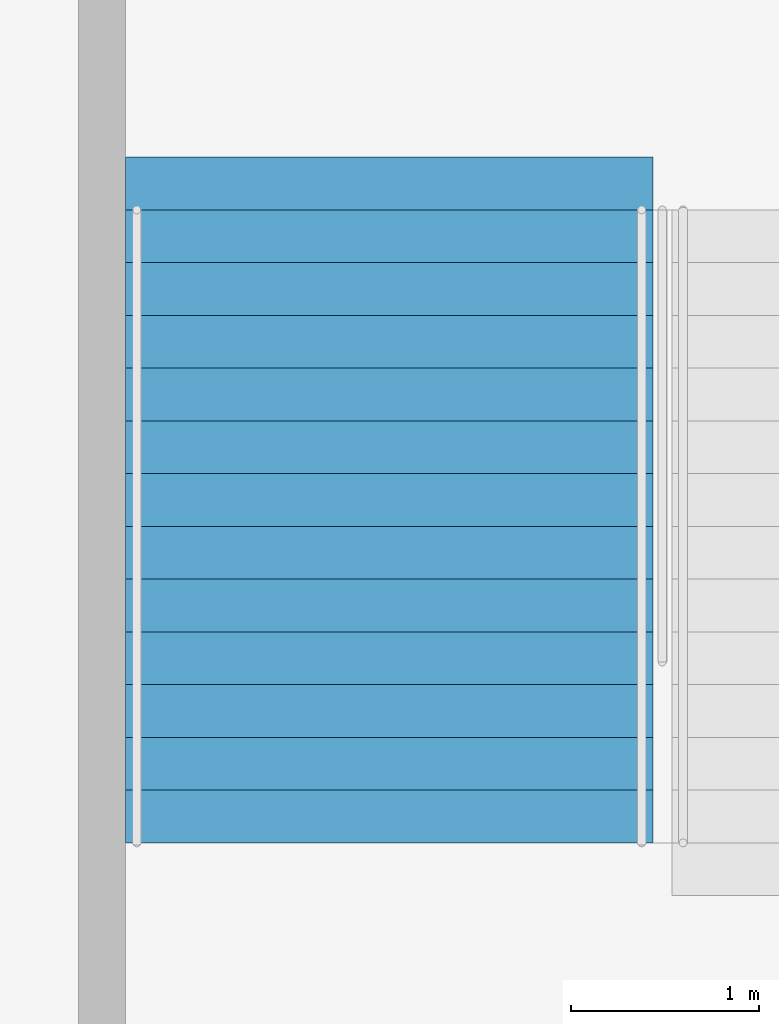
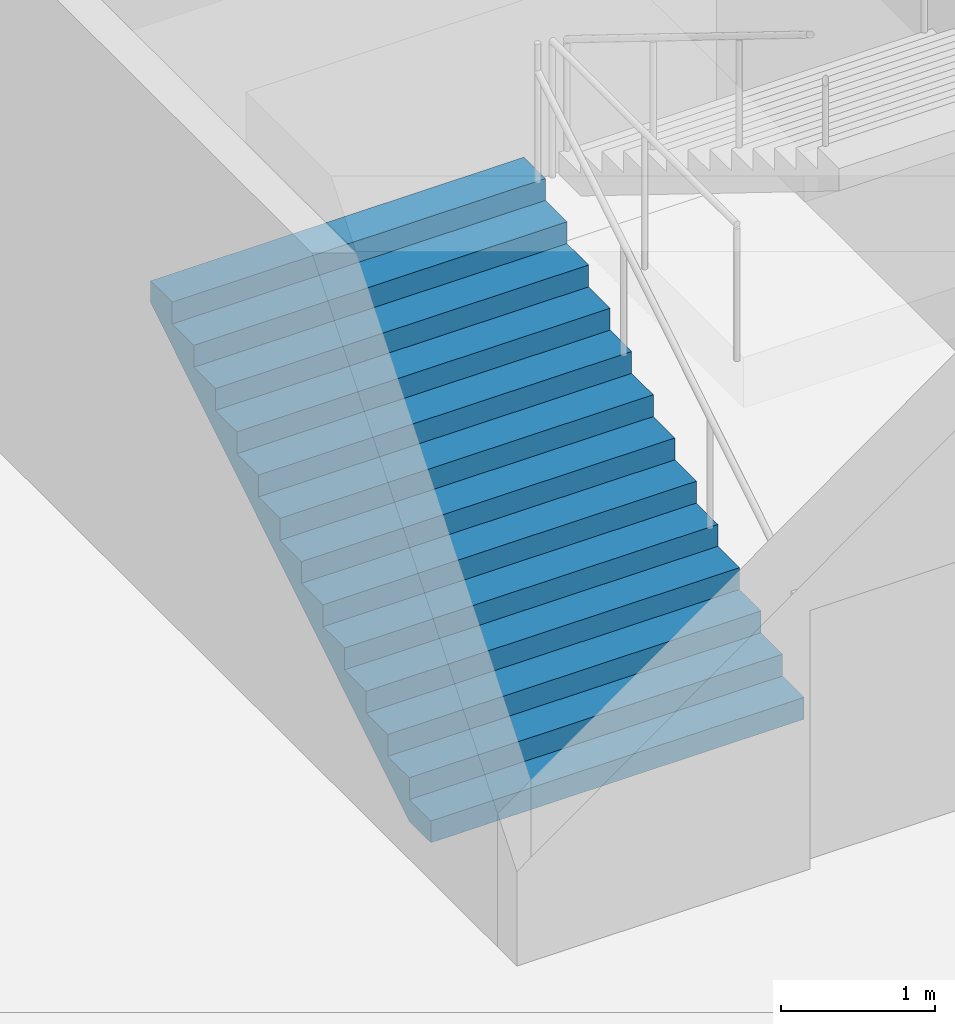
# One storey, part 98 of 115: 1 stair flight, 1 element without a shape of its own.
"""IFC4 building model written with IfcOpenShell, lengths in metres."""

from ifc_helpers import new_model, si_unit, direction, frame, origin, place, context, subcontext, project, spatial, faceted_brep, material, type_object, element, aggregate, save


model = new_model("IFC4")

# Units and contexts
model_context = context("Model", 3, precision=1e-05, world=origin(), true_north=direction((0.0, 1.0)))
body_context = subcontext(model_context, "Body", "Model", "MODEL_VIEW")
ifc_project = project(units=[si_unit("LENGTHUNIT", "METRE"), si_unit("AREAUNIT", "SQUARE_METRE"), si_unit("VOLUMEUNIT", "CUBIC_METRE"), si_unit("PLANEANGLEUNIT", "RADIAN"), si_unit("MASSUNIT", "GRAM", prefix="KILO")], contexts=[model_context])

# Site, building, storey
site_placement = place(None, origin())
site = spatial("IfcSite", under=ifc_project, at=site_placement, CompositionType="ELEMENT")
building_placement = place(site_placement, origin())
building = spatial("IfcBuilding", under=site, at=building_placement, Name="Ogive Plaza Stadium", CompositionType="ELEMENT")
storey_placement = place(building_placement, frame((0.0, 0.0, -4.5)))
storey = spatial("IfcBuildingStorey", under=building, at=storey_placement, Name="B1", CompositionType="ELEMENT", Elevation=-4.5)

# Stair, stair flight
ifc_material_1 = material(Name="Concrete C40/50", Category="concrete")
stair_type = type_object("IfcStairType", Name="Exit stair", PredefinedType="STRAIGHT_RUN_STAIR", material=ifc_material_1)
stair_placement = place(storey_placement, origin())
stair = element("IfcStair", 1, at=stair_placement, inside=storey, type_object=stair_type, Name="Exit stair ST32B B1 to L00", PredefinedType="STRAIGHT_RUN_STAIR")
ifc_material_2 = material(Name="Concrete C40/50", Category="concrete")
stair_flight_type = type_object("IfcStairFlightType", Name="Exit stair flight", PredefinedType="STRAIGHT", material=ifc_material_2)
stair_flight_placement = place(storey_placement, frame((-38.425048828125, 94.85009765625, 0.0), z_axis=(0.0, 0.0, 1.0), x_axis=(0.0, 1.0, 0.0)))
stair_flight = element("IfcStairFlight", 2, at=stair_flight_placement, type_object=stair_flight_type, Name="ST32B flight 1", NumberOfRisers=13, NumberOfTreads=12, PredefinedType="STRAIGHT", RiserHeight=0.173076923, TreadLength=0.28, context=body_context, shape_type="Brep", body=[
    faceted_brep([(0.28515625, -1.39990234375, 0.0), (3.639892578125, -1.39990234375, 2.07373046875), (3.639892578125, -1.39990234375, 2.25), (3.360107421875, -1.39990234375, 2.25), (3.360107421875, -1.39990234375, 2.076904296875), (3.080078125, -1.39990234375, 2.076904296875), (3.080078125, -1.39990234375, 1.90380859375), (2.800048828125, -1.39990234375, 1.90380859375), (2.800048828125, -1.39990234375, 1.730712890625), (2.52001953125, -1.39990234375, 1.730712890625), (2.52001953125, -1.39990234375, 1.5576171875), (2.239990234375, -1.39990234375, 1.5576171875), (2.239990234375, -1.39990234375, 1.384521484375), (1.9599609375, -1.39990234375, 1.384521484375), (1.9599609375, -1.39990234375, 1.21142578125), (1.679931640625, -1.39990234375, 1.21142578125), (1.679931640625, -1.39990234375, 1.03857421875), (1.39990234375, -1.39990234375, 1.03857421875), (1.39990234375, -1.39990234375, 0.865478515625), (1.1201171875, -1.39990234375, 0.865478515625), (1.1201171875, -1.39990234375, 0.6923828125), (0.840087890625, -1.39990234375, 0.6923828125), (0.840087890625, -1.39990234375, 0.519287109375), (0.56005859375, -1.39990234375, 0.519287109375), (0.56005859375, -1.39990234375, 0.34619140625), (0.280029296875, -1.39990234375, 0.34619140625), (0.280029296875, -1.39990234375, 0.173095703125), (0.0, -1.39990234375, 0.173095703125), (0.0, -1.39990234375, 0.0), (0.0, 1.39990234375, 0.0), (0.0, 1.39990234375, 0.173095703125), (0.280029296875, 1.39990234375, 0.173095703125), (0.280029296875, 1.39990234375, 0.34619140625), (0.56005859375, 1.39990234375, 0.34619140625), (0.56005859375, 1.39990234375, 0.519287109375), (0.840087890625, 1.39990234375, 0.519287109375), (0.840087890625, 1.39990234375, 0.6923828125), (1.1201171875, 1.39990234375, 0.6923828125), (1.1201171875, 1.39990234375, 0.865478515625), (1.39990234375, 1.39990234375, 0.865478515625), (1.39990234375, 1.39990234375, 1.03857421875), (1.679931640625, 1.39990234375, 1.03857421875), (1.679931640625, 1.39990234375, 1.21142578125), (1.9599609375, 1.39990234375, 1.21142578125), (1.9599609375, 1.39990234375, 1.384521484375), (2.239990234375, 1.39990234375, 1.384521484375), (2.239990234375, 1.39990234375, 1.5576171875), (2.52001953125, 1.39990234375, 1.5576171875), (2.52001953125, 1.39990234375, 1.730712890625), (2.800048828125, 1.39990234375, 1.730712890625), (2.800048828125, 1.39990234375, 1.90380859375), (3.080078125, 1.39990234375, 1.90380859375), (3.080078125, 1.39990234375, 2.076904296875), (3.360107421875, 1.39990234375, 2.076904296875), (3.360107421875, 1.39990234375, 2.25), (3.639892578125, 1.39990234375, 2.25), (3.639892578125, 1.39990234375, 2.07373046875), (0.28515625, 1.39990234375, 0.0), (0.28515625, -1.0888671875, 0.0), (3.639892578125, -1.0888671875, 2.07373046875), (0.28515625, -0.77783203125, 0.0), (3.639892578125, -0.77783203125, 2.07373046875), (0.28515625, -0.466796875, 0.0), (3.639892578125, -0.466796875, 2.07373046875), (0.28515625, -0.155517578125, 0.0), (3.639892578125, -0.155517578125, 2.07373046875), (0.28515625, 0.155517578125, 0.0), (3.639892578125, 0.155517578125, 2.07373046875), (0.28515625, 0.466796875, 0.0), (3.639892578125, 0.466796875, 2.07373046875), (0.28515625, 0.77783203125, 0.0), (3.639892578125, 0.77783203125, 2.07373046875), (0.28515625, 1.0888671875, 0.0), (3.639892578125, 1.0888671875, 2.07373046875), (3.639892578125, -1.0888671875, 2.25), (3.639892578125, -0.77783203125, 2.25), (3.639892578125, -0.466796875, 2.25), (3.639892578125, -0.155517578125, 2.25), (3.639892578125, 0.155517578125, 2.25), (3.639892578125, 0.466796875, 2.25), (3.639892578125, 0.77783203125, 2.25), (3.639892578125, 1.0888671875, 2.25), (3.360107421875, -1.0888671875, 2.25), (3.360107421875, -0.77783203125, 2.25), (3.360107421875, -0.466796875, 2.25), (3.360107421875, -0.155517578125, 2.25), (3.360107421875, 0.155517578125, 2.25), (3.360107421875, 0.466796875, 2.25), (3.360107421875, 0.77783203125, 2.25), (3.360107421875, 1.0888671875, 2.25), (3.360107421875, -1.0888671875, 2.076904296875), (3.360107421875, -0.77783203125, 2.076904296875), (3.360107421875, -0.466796875, 2.076904296875), (3.360107421875, -0.155517578125, 2.076904296875), (3.360107421875, 0.155517578125, 2.076904296875), (3.360107421875, 0.466796875, 2.076904296875), (3.360107421875, 0.77783203125, 2.076904296875), (3.360107421875, 1.0888671875, 2.076904296875), (3.080078125, -1.0888671875, 2.076904296875), (3.080078125, -0.77783203125, 2.076904296875), (3.080078125, -0.466796875, 2.076904296875), (3.080078125, -0.155517578125, 2.076904296875), (3.080078125, 0.155517578125, 2.076904296875), (3.080078125, 0.466796875, 2.076904296875), (3.080078125, 0.77783203125, 2.076904296875), (3.080078125, 1.0888671875, 2.076904296875), (3.080078125, -1.0888671875, 1.90380859375), (3.080078125, -0.77783203125, 1.90380859375), (3.080078125, -0.466796875, 1.90380859375), (3.080078125, -0.155517578125, 1.90380859375), (3.080078125, 0.155517578125, 1.90380859375), (3.080078125, 0.466796875, 1.90380859375), (3.080078125, 0.77783203125, 1.90380859375), (3.080078125, 1.0888671875, 1.90380859375), (2.800048828125, -1.0888671875, 1.90380859375), (2.800048828125, -0.77783203125, 1.90380859375), (2.800048828125, -0.466796875, 1.90380859375), (2.800048828125, -0.155517578125, 1.90380859375), (2.800048828125, 0.155517578125, 1.90380859375), (2.800048828125, 0.466796875, 1.90380859375), (2.800048828125, 0.77783203125, 1.90380859375), (2.800048828125, 1.0888671875, 1.90380859375), (2.800048828125, -1.0888671875, 1.730712890625), (2.800048828125, -0.77783203125, 1.730712890625), (2.800048828125, -0.466796875, 1.730712890625), (2.800048828125, -0.155517578125, 1.730712890625), (2.800048828125, 0.155517578125, 1.730712890625), (2.800048828125, 0.466796875, 1.730712890625), (2.800048828125, 0.77783203125, 1.730712890625), (2.800048828125, 1.0888671875, 1.730712890625), (2.52001953125, -1.0888671875, 1.730712890625), (2.52001953125, -0.77783203125, 1.730712890625), (2.52001953125, -0.466796875, 1.730712890625), (2.52001953125, -0.155517578125, 1.730712890625), (2.52001953125, 0.155517578125, 1.730712890625), (2.52001953125, 0.466796875, 1.730712890625), (2.52001953125, 0.77783203125, 1.730712890625), (2.52001953125, 1.0888671875, 1.730712890625), (2.52001953125, -1.0888671875, 1.5576171875), (2.52001953125, -0.77783203125, 1.5576171875), (2.52001953125, -0.466796875, 1.5576171875), (2.52001953125, -0.155517578125, 1.5576171875), (2.52001953125, 0.155517578125, 1.5576171875), (2.52001953125, 0.466796875, 1.5576171875), (2.52001953125, 0.77783203125, 1.5576171875), (2.52001953125, 1.0888671875, 1.5576171875), (2.239990234375, -1.0888671875, 1.5576171875), (2.239990234375, -0.77783203125, 1.5576171875), (2.239990234375, -0.466796875, 1.5576171875), (2.239990234375, -0.155517578125, 1.5576171875), (2.239990234375, 0.155517578125, 1.5576171875), (2.239990234375, 0.466796875, 1.5576171875), (2.239990234375, 0.77783203125, 1.5576171875), (2.239990234375, 1.0888671875, 1.5576171875), (2.239990234375, -1.0888671875, 1.384521484375), (2.239990234375, -0.77783203125, 1.384521484375), (2.239990234375, -0.466796875, 1.384521484375), (2.239990234375, -0.155517578125, 1.384521484375), (2.239990234375, 0.155517578125, 1.384521484375), (2.239990234375, 0.466796875, 1.384521484375), (2.239990234375, 0.77783203125, 1.384521484375), (2.239990234375, 1.0888671875, 1.384521484375), (1.9599609375, -1.0888671875, 1.384521484375), (1.9599609375, -0.77783203125, 1.384521484375), (1.9599609375, -0.466796875, 1.384521484375), (1.9599609375, -0.155517578125, 1.384521484375), (1.9599609375, 0.155517578125, 1.384521484375), (1.9599609375, 0.466796875, 1.384521484375), (1.9599609375, 0.77783203125, 1.384521484375), (1.9599609375, 1.0888671875, 1.384521484375), (1.9599609375, -1.0888671875, 1.21142578125), (1.9599609375, -0.77783203125, 1.21142578125), (1.9599609375, -0.466796875, 1.21142578125), (1.9599609375, -0.155517578125, 1.21142578125), (1.9599609375, 0.155517578125, 1.21142578125), (1.9599609375, 0.466796875, 1.21142578125), (1.9599609375, 0.77783203125, 1.21142578125), (1.9599609375, 1.0888671875, 1.21142578125), (1.679931640625, -1.0888671875, 1.21142578125), (1.679931640625, -0.77783203125, 1.21142578125), (1.679931640625, -0.466796875, 1.21142578125), (1.679931640625, -0.155517578125, 1.21142578125), (1.679931640625, 0.155517578125, 1.21142578125), (1.679931640625, 0.466796875, 1.21142578125), (1.679931640625, 0.77783203125, 1.21142578125), (1.679931640625, 1.0888671875, 1.21142578125), (1.679931640625, -1.0888671875, 1.03857421875), (1.679931640625, -0.77783203125, 1.03857421875), (1.679931640625, -0.466796875, 1.03857421875), (1.679931640625, -0.155517578125, 1.03857421875), (1.679931640625, 0.155517578125, 1.03857421875), (1.679931640625, 0.466796875, 1.03857421875), (1.679931640625, 0.77783203125, 1.03857421875), (1.679931640625, 1.0888671875, 1.03857421875), (1.39990234375, -1.0888671875, 1.03857421875), (1.39990234375, -0.77783203125, 1.03857421875), (1.39990234375, -0.466796875, 1.03857421875), (1.39990234375, -0.155517578125, 1.03857421875), (1.39990234375, 0.155517578125, 1.03857421875), (1.39990234375, 0.466796875, 1.03857421875), (1.39990234375, 0.77783203125, 1.03857421875), (1.39990234375, 1.0888671875, 1.03857421875), (1.39990234375, -1.0888671875, 0.865478515625), (1.39990234375, -0.77783203125, 0.865478515625), (1.39990234375, -0.466796875, 0.865478515625), (1.39990234375, -0.155517578125, 0.865478515625), (1.39990234375, 0.155517578125, 0.865478515625), (1.39990234375, 0.466796875, 0.865478515625), (1.39990234375, 0.77783203125, 0.865478515625), (1.39990234375, 1.0888671875, 0.865478515625), (1.1201171875, -1.0888671875, 0.865478515625), (1.1201171875, -0.77783203125, 0.865478515625), (1.1201171875, -0.466796875, 0.865478515625), (1.1201171875, -0.155517578125, 0.865478515625), (1.1201171875, 0.155517578125, 0.865478515625), (1.1201171875, 0.466796875, 0.865478515625), (1.1201171875, 0.77783203125, 0.865478515625), (1.1201171875, 1.0888671875, 0.865478515625), (1.1201171875, -1.0888671875, 0.6923828125), (1.1201171875, -0.77783203125, 0.6923828125), (1.1201171875, -0.466796875, 0.6923828125), (1.1201171875, -0.155517578125, 0.6923828125), (1.1201171875, 0.155517578125, 0.6923828125), (1.1201171875, 0.466796875, 0.6923828125), (1.1201171875, 0.77783203125, 0.6923828125), (1.1201171875, 1.0888671875, 0.6923828125), (0.840087890625, -1.0888671875, 0.6923828125), (0.840087890625, -0.77783203125, 0.6923828125), (0.840087890625, -0.466796875, 0.6923828125), (0.840087890625, -0.155517578125, 0.6923828125), (0.840087890625, 0.155517578125, 0.6923828125), (0.840087890625, 0.466796875, 0.6923828125), (0.840087890625, 0.77783203125, 0.6923828125), (0.840087890625, 1.0888671875, 0.6923828125), (0.840087890625, -1.0888671875, 0.519287109375), (0.840087890625, -0.77783203125, 0.519287109375), (0.840087890625, -0.466796875, 0.519287109375), (0.840087890625, -0.155517578125, 0.519287109375), (0.840087890625, 0.155517578125, 0.519287109375), (0.840087890625, 0.466796875, 0.519287109375), (0.840087890625, 0.77783203125, 0.519287109375), (0.840087890625, 1.0888671875, 0.519287109375), (0.56005859375, -1.0888671875, 0.519287109375), (0.56005859375, -0.77783203125, 0.519287109375), (0.56005859375, -0.466796875, 0.519287109375), (0.56005859375, -0.155517578125, 0.519287109375), (0.56005859375, 0.155517578125, 0.519287109375), (0.56005859375, 0.466796875, 0.519287109375), (0.56005859375, 0.77783203125, 0.519287109375), (0.56005859375, 1.0888671875, 0.519287109375), (0.56005859375, -1.0888671875, 0.34619140625), (0.56005859375, -0.77783203125, 0.34619140625), (0.56005859375, -0.466796875, 0.34619140625), (0.56005859375, -0.155517578125, 0.34619140625), (0.56005859375, 0.155517578125, 0.34619140625), (0.56005859375, 0.466796875, 0.34619140625), (0.56005859375, 0.77783203125, 0.34619140625), (0.56005859375, 1.0888671875, 0.34619140625), (0.280029296875, -1.0888671875, 0.34619140625), (0.280029296875, -0.77783203125, 0.34619140625), (0.280029296875, -0.466796875, 0.34619140625), (0.280029296875, -0.155517578125, 0.34619140625), (0.280029296875, 0.155517578125, 0.34619140625), (0.280029296875, 0.466796875, 0.34619140625), (0.280029296875, 0.77783203125, 0.34619140625), (0.280029296875, 1.0888671875, 0.34619140625), (0.280029296875, -1.0888671875, 0.173095703125), (0.280029296875, -0.77783203125, 0.173095703125), (0.280029296875, -0.466796875, 0.173095703125), (0.280029296875, -0.155517578125, 0.173095703125), (0.280029296875, 0.155517578125, 0.173095703125), (0.280029296875, 0.466796875, 0.173095703125), (0.280029296875, 0.77783203125, 0.173095703125), (0.280029296875, 1.0888671875, 0.173095703125), (0.0, -1.0888671875, 0.173095703125), (0.0, -0.77783203125, 0.173095703125), (0.0, -0.466796875, 0.173095703125), (0.0, -0.155517578125, 0.173095703125), (0.0, 0.155517578125, 0.173095703125), (0.0, 0.466796875, 0.173095703125), (0.0, 0.77783203125, 0.173095703125), (0.0, 1.0888671875, 0.173095703125), (0.0, -1.0888671875, 0.0), (0.0, -0.77783203125, 0.0), (0.0, -0.466796875, 0.0), (0.0, -0.155517578125, 0.0), (0.0, 0.155517578125, 0.0), (0.0, 0.466796875, 0.0), (0.0, 0.77783203125, 0.0), (0.0, 1.0888671875, 0.0)], [[[0, 1, 2, 3, 4, 5, 6, 7, 8, 9, 10, 11, 12, 13, 14, 15, 16, 17, 18, 19, 20, 21, 22, 23, 24, 25, 26, 27, 28]], [[29, 30, 31, 32, 33, 34, 35, 36, 37, 38, 39, 40, 41, 42, 43, 44, 45, 46, 47, 48, 49, 50, 51, 52, 53, 54, 55, 56, 57]], [[0, 58, 59, 1]], [[58, 60, 61, 59]], [[60, 62, 63, 61]], [[62, 64, 65, 63]], [[64, 66, 67, 65]], [[66, 68, 69, 67]], [[68, 70, 71, 69]], [[70, 72, 73, 71]], [[72, 57, 56, 73]], [[1, 59, 74, 2]], [[59, 61, 75, 74]], [[61, 63, 76, 75]], [[63, 65, 77, 76]], [[65, 67, 78, 77]], [[67, 69, 79, 78]], [[69, 71, 80, 79]], [[71, 73, 81, 80]], [[73, 56, 55, 81]], [[2, 74, 82, 3]], [[74, 75, 83, 82]], [[75, 76, 84, 83]], [[76, 77, 85, 84]], [[77, 78, 86, 85]], [[78, 79, 87, 86]], [[79, 80, 88, 87]], [[80, 81, 89, 88]], [[81, 55, 54, 89]], [[3, 82, 90, 4]], [[82, 83, 91, 90]], [[83, 84, 92, 91]], [[84, 85, 93, 92]], [[85, 86, 94, 93]], [[86, 87, 95, 94]], [[87, 88, 96, 95]], [[88, 89, 97, 96]], [[89, 54, 53, 97]], [[4, 90, 98, 5]], [[90, 91, 99, 98]], [[91, 92, 100, 99]], [[92, 93, 101, 100]], [[93, 94, 102, 101]], [[94, 95, 103, 102]], [[95, 96, 104, 103]], [[96, 97, 105, 104]], [[97, 53, 52, 105]], [[5, 98, 106, 6]], [[98, 99, 107, 106]], [[99, 100, 108, 107]], [[100, 101, 109, 108]], [[101, 102, 110, 109]], [[102, 103, 111, 110]], [[103, 104, 112, 111]], [[104, 105, 113, 112]], [[105, 52, 51, 113]], [[6, 106, 114, 7]], [[106, 107, 115, 114]], [[107, 108, 116, 115]], [[108, 109, 117, 116]], [[109, 110, 118, 117]], [[110, 111, 119, 118]], [[111, 112, 120, 119]], [[112, 113, 121, 120]], [[113, 51, 50, 121]], [[7, 114, 122, 8]], [[114, 115, 123, 122]], [[115, 116, 124, 123]], [[116, 117, 125, 124]], [[117, 118, 126, 125]], [[118, 119, 127, 126]], [[119, 120, 128, 127]], [[120, 121, 129, 128]], [[121, 50, 49, 129]], [[8, 122, 130, 9]], [[122, 123, 131, 130]], [[123, 124, 132, 131]], [[124, 125, 133, 132]], [[125, 126, 134, 133]], [[126, 127, 135, 134]], [[127, 128, 136, 135]], [[128, 129, 137, 136]], [[129, 49, 48, 137]], [[9, 130, 138, 10]], [[130, 131, 139, 138]], [[131, 132, 140, 139]], [[132, 133, 141, 140]], [[133, 134, 142, 141]], [[134, 135, 143, 142]], [[135, 136, 144, 143]], [[136, 137, 145, 144]], [[137, 48, 47, 145]], [[10, 138, 146, 11]], [[138, 139, 147, 146]], [[139, 140, 148, 147]], [[140, 141, 149, 148]], [[141, 142, 150, 149]], [[142, 143, 151, 150]], [[143, 144, 152, 151]], [[144, 145, 153, 152]], [[145, 47, 46, 153]], [[11, 146, 154, 12]], [[146, 147, 155, 154]], [[147, 148, 156, 155]], [[148, 149, 157, 156]], [[149, 150, 158, 157]], [[150, 151, 159, 158]], [[151, 152, 160, 159]], [[152, 153, 161, 160]], [[153, 46, 45, 161]], [[12, 154, 162, 13]], [[154, 155, 163, 162]], [[155, 156, 164, 163]], [[156, 157, 165, 164]], [[157, 158, 166, 165]], [[158, 159, 167, 166]], [[159, 160, 168, 167]], [[160, 161, 169, 168]], [[161, 45, 44, 169]], [[13, 162, 170, 14]], [[162, 163, 171, 170]], [[163, 164, 172, 171]], [[164, 165, 173, 172]], [[165, 166, 174, 173]], [[166, 167, 175, 174]], [[167, 168, 176, 175]], [[168, 169, 177, 176]], [[169, 44, 43, 177]], [[14, 170, 178, 15]], [[170, 171, 179, 178]], [[171, 172, 180, 179]], [[172, 173, 181, 180]], [[173, 174, 182, 181]], [[174, 175, 183, 182]], [[175, 176, 184, 183]], [[176, 177, 185, 184]], [[177, 43, 42, 185]], [[15, 178, 186, 16]], [[178, 179, 187, 186]], [[179, 180, 188, 187]], [[180, 181, 189, 188]], [[181, 182, 190, 189]], [[182, 183, 191, 190]], [[183, 184, 192, 191]], [[184, 185, 193, 192]], [[185, 42, 41, 193]], [[16, 186, 194, 17]], [[186, 187, 195, 194]], [[187, 188, 196, 195]], [[188, 189, 197, 196]], [[189, 190, 198, 197]], [[190, 191, 199, 198]], [[191, 192, 200, 199]], [[192, 193, 201, 200]], [[193, 41, 40, 201]], [[17, 194, 202, 18]], [[194, 195, 203, 202]], [[195, 196, 204, 203]], [[196, 197, 205, 204]], [[197, 198, 206, 205]], [[198, 199, 207, 206]], [[199, 200, 208, 207]], [[200, 201, 209, 208]], [[201, 40, 39, 209]], [[18, 202, 210, 19]], [[202, 203, 211, 210]], [[203, 204, 212, 211]], [[204, 205, 213, 212]], [[205, 206, 214, 213]], [[206, 207, 215, 214]], [[207, 208, 216, 215]], [[208, 209, 217, 216]], [[209, 39, 38, 217]], [[19, 210, 218, 20]], [[210, 211, 219, 218]], [[211, 212, 220, 219]], [[212, 213, 221, 220]], [[213, 214, 222, 221]], [[214, 215, 223, 222]], [[215, 216, 224, 223]], [[216, 217, 225, 224]], [[217, 38, 37, 225]], [[20, 218, 226, 21]], [[218, 219, 227, 226]], [[219, 220, 228, 227]], [[220, 221, 229, 228]], [[221, 222, 230, 229]], [[222, 223, 231, 230]], [[223, 224, 232, 231]], [[224, 225, 233, 232]], [[225, 37, 36, 233]], [[21, 226, 234, 22]], [[226, 227, 235, 234]], [[227, 228, 236, 235]], [[228, 229, 237, 236]], [[229, 230, 238, 237]], [[230, 231, 239, 238]], [[231, 232, 240, 239]], [[232, 233, 241, 240]], [[233, 36, 35, 241]], [[22, 234, 242, 23]], [[234, 235, 243, 242]], [[235, 236, 244, 243]], [[236, 237, 245, 244]], [[237, 238, 246, 245]], [[238, 239, 247, 246]], [[239, 240, 248, 247]], [[240, 241, 249, 248]], [[241, 35, 34, 249]], [[23, 242, 250, 24]], [[242, 243, 251, 250]], [[243, 244, 252, 251]], [[244, 245, 253, 252]], [[245, 246, 254, 253]], [[246, 247, 255, 254]], [[247, 248, 256, 255]], [[248, 249, 257, 256]], [[249, 34, 33, 257]], [[24, 250, 258, 25]], [[250, 251, 259, 258]], [[251, 252, 260, 259]], [[252, 253, 261, 260]], [[253, 254, 262, 261]], [[254, 255, 263, 262]], [[255, 256, 264, 263]], [[256, 257, 265, 264]], [[257, 33, 32, 265]], [[25, 258, 266, 26]], [[258, 259, 267, 266]], [[259, 260, 268, 267]], [[260, 261, 269, 268]], [[261, 262, 270, 269]], [[262, 263, 271, 270]], [[263, 264, 272, 271]], [[264, 265, 273, 272]], [[265, 32, 31, 273]], [[26, 266, 274, 27]], [[266, 267, 275, 274]], [[267, 268, 276, 275]], [[268, 269, 277, 276]], [[269, 270, 278, 277]], [[270, 271, 279, 278]], [[271, 272, 280, 279]], [[272, 273, 281, 280]], [[273, 31, 30, 281]], [[27, 274, 282, 28]], [[274, 275, 283, 282]], [[275, 276, 284, 283]], [[276, 277, 285, 284]], [[277, 278, 286, 285]], [[278, 279, 287, 286]], [[279, 280, 288, 287]], [[280, 281, 289, 288]], [[281, 30, 29, 289]], [[28, 282, 58, 0]], [[282, 283, 60, 58]], [[283, 284, 62, 60]], [[284, 285, 64, 62]], [[285, 286, 66, 64]], [[286, 287, 68, 66]], [[287, 288, 70, 68]], [[288, 289, 72, 70]], [[289, 29, 57, 72]]]),
])
aggregate(stair, [stair_flight])

save(model, "model.ifc")
